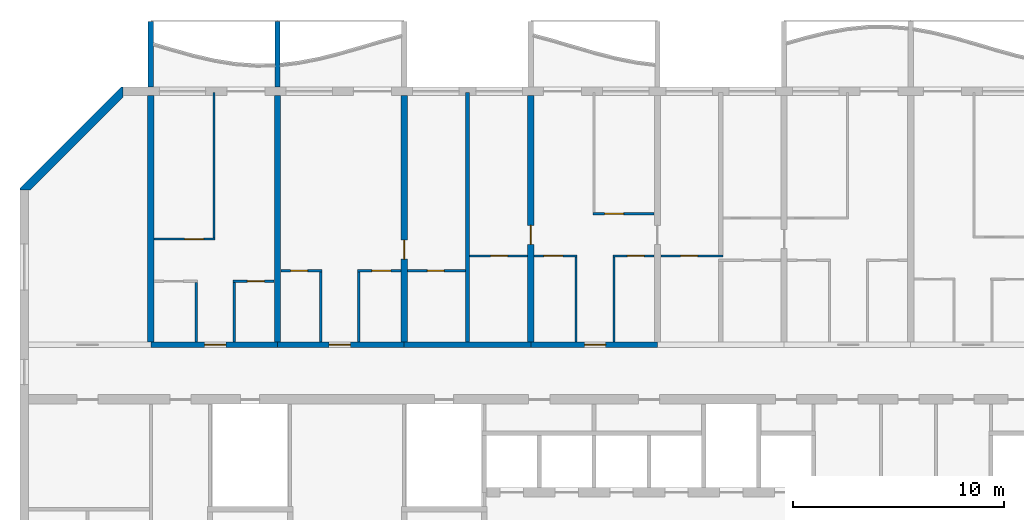
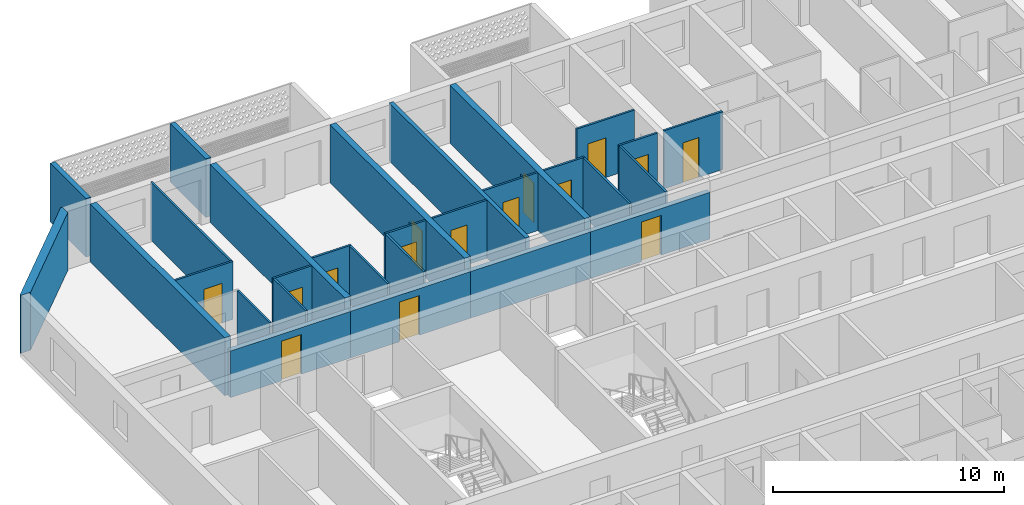
# One storey, part 8 of 31: 29 walls, 15 doors, 15 openings.
"""IFC4 building model written with IfcOpenShell, lengths in metres."""

from ifc_helpers import new_model, si_unit, direction, frame, frame_2d, origin, place, context, subcontext, project, spatial, polyline, rectangle, outline, extrude, source, transform, mapped, material, layer, layer_set, type_object, element, fill, save


model = new_model("IFC4")

# Units and contexts
model_context = context("Model", 3, precision=1e-05, world=origin(), true_north=direction((0.0, 1.0)))
body_context = subcontext(model_context, "Body", "Model", "MODEL_VIEW")
ifc_project = project(units=[si_unit("LENGTHUNIT", "METRE"), si_unit("AREAUNIT", "SQUARE_METRE"), si_unit("VOLUMEUNIT", "CUBIC_METRE"), si_unit("PLANEANGLEUNIT", "RADIAN"), si_unit("MASSUNIT", "GRAM", prefix="KILO")], contexts=[model_context])

# Site, building, storey
site_placement = place(None, origin())
site = spatial("IfcSite", under=ifc_project, at=site_placement, CompositionType="ELEMENT")
building_placement = place(site_placement, origin())
building = spatial("IfcBuilding", under=site, at=building_placement, Name="Poui Terraces", CompositionType="ELEMENT")
storey_placement = place(building_placement, frame((0.0, 0.0, 148.800048828125)))
storey = spatial("IfcBuildingStorey", under=building, at=storey_placement, Name="L41", CompositionType="ELEMENT", Elevation=148.800048828125)

# Wall, opening, door
ifc_material_1 = material(Name="Concrete 65 MPa", Category="concrete")
ifc_layer_1 = layer(ifc_material_1, 0.25)
ifc_layer_set_1 = layer_set([ifc_layer_1], Name="Concrete 65 MPa")
wall_type_1 = type_object("IfcWallType", Name="CORRIDOR WALL 250 65MPa", PredefinedType="SHEAR", material=ifc_layer_set_1)
wall_1_placement = place(storey_placement, frame((18.0, 30.39990234375, 0.0), z_axis=(0.0, 0.0, 1.0), x_axis=(1.0, 0.0, 0.0)))
wall_1 = element("IfcWall", 1, at=wall_1_placement, inside=storey, type_object=wall_type_1, Name="CORRIDOR WALL LINE E BAY 2", PredefinedType="SHEAR", context=body_context, shape_type="SweptSolid", body=[
    extrude(rectangle(XDim=6.0, YDim=0.25, at=frame_2d((3.0, 0.0))), origin(), (0.0, 0.0, 1.0), 2.469970703125),
])
opening_1_placement = place(wall_1_placement, frame((2.550048828125, 0.0, 0.0)))
opening_1 = element("IfcOpeningElement", 2, at=opening_1_placement, cuts=wall_1, Name="Opening FD30S", PredefinedType="OPENING", context=body_context, shape_type="SweptSolid", body=[
    extrude(rectangle(XDim=1.0, YDim=2.10009765625, at=frame_2d((0.5, 1.050048828125))), frame((0.0, 0.135009765625, 0.0), z_axis=(0.0, -1.0, 0.0), x_axis=(1.0, 0.0, 0.0)), (0.0, 0.0, 1.0), 0.27001953125),
])
ifc_material_2 = material(Name="Steel fire door", Category="steel")
door_type_1 = type_object("IfcDoorType", Name="FLAT ENTRANCE DOOR 1000 X 2100", OperationType="NOTDEFINED", PredefinedType="DOOR", material=ifc_material_2)
door_1_placement = place(opening_1_placement, origin())
door_1 = element("IfcDoor", 3, at=door_1_placement, inside=storey, type_object=door_type_1, Name="FLAT ENTRANCE DOOR 035", OperationType="SINGLE_SWING_RIGHT", OverallHeight=2.10009765625, OverallWidth=1.0, PredefinedType="DOOR", context=body_context, shape_type="SweptSolid", body=[
    extrude(rectangle(XDim=1.0, YDim=2.10009765625, at=frame_2d((0.5, 1.050048828125))), frame((0.0, 0.02490234375, 0.0), z_axis=(0.0, -1.0, 0.0), x_axis=(1.0, 0.0, 0.0)), (0.0, 0.0, 1.0), 0.050048828125),
])
fill(opening_1, door_1)

wall_2_placement = place(storey_placement, frame((24.0, 30.39990234375, 0.0), z_axis=(0.0, 0.0, 1.0), x_axis=(1.0, 0.0, 0.0)))
wall_2 = element("IfcWall", 4, at=wall_2_placement, inside=storey, type_object=wall_type_1, Name="CORRIDOR WALL LINE E BAY 3", PredefinedType="SHEAR", context=body_context, shape_type="SweptSolid", body=[
    extrude(rectangle(XDim=6.0, YDim=0.25, at=frame_2d((3.0, 0.0))), origin(), (0.0, 0.0, 1.0), 2.469970703125),
])
opening_2_placement = place(wall_2_placement, frame((2.449951171875, 0.0, 0.0)))
opening_2 = element("IfcOpeningElement", 5, at=opening_2_placement, cuts=wall_2, Name="Opening FD30S", PredefinedType="OPENING", context=body_context, shape_type="SweptSolid", body=[
    extrude(rectangle(XDim=1.0, YDim=2.10009765625, at=frame_2d((0.5, 1.050048828125))), frame((0.0, 0.135009765625, 0.0), z_axis=(0.0, -1.0, 0.0), x_axis=(1.0, 0.0, 0.0)), (0.0, 0.0, 1.0), 0.27001953125),
])
door_2_placement = place(opening_2_placement, origin())
door_2 = element("IfcDoor", 6, at=door_2_placement, inside=storey, type_object=door_type_1, Name="FLAT ENTRANCE DOOR 039", OperationType="SINGLE_SWING_LEFT", OverallHeight=2.10009765625, OverallWidth=1.0, PredefinedType="DOOR", context=body_context, shape_type="SweptSolid", body=[
    extrude(rectangle(XDim=1.0, YDim=2.10009765625, at=frame_2d((0.5, 1.050048828125))), frame((0.0, 0.02490234375, 0.0), z_axis=(0.0, -1.0, 0.0), x_axis=(1.0, 0.0, 0.0)), (0.0, 0.0, 1.0), 0.050048828125),
])
fill(opening_2, door_2)

# Wall
wall_3_placement = place(storey_placement, frame((30.0, 30.39990234375, 0.0), z_axis=(0.0, 0.0, 1.0), x_axis=(1.0, 0.0, 0.0)))
element("IfcWall", 7, at=wall_3_placement, inside=storey, type_object=wall_type_1, Name="CORRIDOR WALL LINE E BAY 4", PredefinedType="SHEAR", context=body_context, shape_type="SweptSolid", body=[
    extrude(rectangle(XDim=6.0, YDim=0.25, at=frame_2d((3.0, 0.0))), origin(), (0.0, 0.0, 1.0), 2.469970703125),
])

# Wall, opening, door
wall_4_placement = place(storey_placement, frame((36.0, 30.39990234375, 0.0), z_axis=(0.0, 0.0, 1.0), x_axis=(1.0, 0.0, 0.0)))
wall_4 = element("IfcWall", 8, at=wall_4_placement, inside=storey, type_object=wall_type_1, Name="CORRIDOR WALL LINE E BAY 5", PredefinedType="SHEAR", context=body_context, shape_type="SweptSolid", body=[
    extrude(rectangle(XDim=6.0, YDim=0.25, at=frame_2d((3.0, 0.0))), origin(), (0.0, 0.0, 1.0), 2.469970703125),
])
opening_3_placement = place(wall_4_placement, frame((2.550048828125, 0.0, 0.0)))
opening_3 = element("IfcOpeningElement", 9, at=opening_3_placement, cuts=wall_4, Name="Opening FD30S", PredefinedType="OPENING", context=body_context, shape_type="SweptSolid", body=[
    extrude(rectangle(XDim=1.0, YDim=2.10009765625, at=frame_2d((0.5, 1.050048828125))), frame((0.0, 0.135009765625, 0.0), z_axis=(0.0, -1.0, 0.0), x_axis=(1.0, 0.0, 0.0)), (0.0, 0.0, 1.0), 0.27001953125),
])
door_3_placement = place(opening_3_placement, origin())
door_3 = element("IfcDoor", 10, at=door_3_placement, inside=storey, type_object=door_type_1, Name="FLAT ENTRANCE DOOR 046", OperationType="SINGLE_SWING_RIGHT", OverallHeight=2.10009765625, OverallWidth=1.0, PredefinedType="DOOR", context=body_context, shape_type="SweptSolid", body=[
    extrude(rectangle(XDim=1.0, YDim=2.10009765625, at=frame_2d((0.5, 1.050048828125))), frame((0.0, 0.02490234375, 0.0), z_axis=(0.0, -1.0, 0.0), x_axis=(1.0, 0.0, 0.0)), (0.0, 0.0, 1.0), 0.050048828125),
])
fill(opening_3, door_3)

# Walls
ifc_layer_2 = layer(ifc_material_1, 0.300048828125)
ifc_layer_set_2 = layer_set([ifc_layer_2], Name="Concrete 65 MPa")
wall_type_2 = type_object("IfcWallType", Name="CROSS WALL 300 65MPa", PredefinedType="SHEAR", material=ifc_layer_set_2)
for number, where, z_axis, x_axis, name in (
    (11, (18.0, 30.52490234375, 0.0), (0.0, 0.0, 1.0), (0.0, 1.0, 0.0), "CROSS WALL LINE 4 NORTH"),
    (12, (24.0, 30.52490234375, 0.0), (0.0, 0.0, 1.0), (0.0, 1.0, 0.0), "CROSS WALL LINE 5 NORTH"),
):
    element("IfcWall", number, at=place(storey_placement, frame(where, z_axis=z_axis, x_axis=x_axis)), inside=storey, type_object=wall_type_2, Name=name, PredefinedType="SHEAR", context=body_context, shape_type="SweptSolid", body=[
        extrude(rectangle(XDim=11.675048828125, YDim=0.300048828125, at=frame_2d((5.83740234375, 0.0))), origin(), (0.0, 0.0, 1.0), 3.070068359375),
    ])

# Wall, opening, door
wall_5_placement = place(storey_placement, frame((30.0, 30.52490234375, 0.0), z_axis=(0.0, 0.0, 1.0), x_axis=(0.0, 1.0, 0.0)))
wall_5 = element("IfcWall", 13, at=wall_5_placement, inside=storey, type_object=wall_type_2, Name="CROSS WALL LINE 6 NORTH", PredefinedType="SHEAR", context=body_context, shape_type="SweptSolid", body=[
    extrude(rectangle(XDim=11.675048828125, YDim=0.300048828125, at=frame_2d((5.83740234375, 0.0))), origin(), (0.0, 0.0, 1.0), 3.070068359375),
])
opening_4_placement = place(wall_5_placement, frame((3.925048828125, 0.0, 0.0)))
opening_4 = element("IfcOpeningElement", 14, at=opening_4_placement, cuts=wall_5, Name="Opening D90", PredefinedType="OPENING", context=body_context, shape_type="SweptSolid", body=[
    extrude(rectangle(XDim=0.89990234375, YDim=2.10009765625, at=frame_2d((0.449951171875, 1.050048828125))), frame((0.0, 0.16015625, 0.0), z_axis=(0.0, -1.0, 0.0), x_axis=(1.0, 0.0, 0.0)), (0.0, 0.0, 1.0), 0.320068359375),
])
ifc_material_3 = material(Name="Solid core timber door", Category="wood")
door_type_2 = type_object("IfcDoorType", Name="INTERNAL DOOR 900 X 2100", OperationType="NOTDEFINED", PredefinedType="DOOR", material=ifc_material_3)
door_4_placement = place(opening_4_placement, frame((0.89990234375, 0.0, 0.0), z_axis=(0.0, 0.0, 1.0), x_axis=(-1.0, 0.0, 0.0)))
door_4 = element("IfcDoor", 15, at=door_4_placement, inside=storey, type_object=door_type_2, Name="INTERNAL DOOR 041", OperationType="SINGLE_SWING_RIGHT", OverallHeight=2.10009765625, OverallWidth=0.89990234375, PredefinedType="DOOR", context=body_context, shape_type="SweptSolid", body=[
    extrude(rectangle(XDim=0.89990234375, YDim=2.10009765625, at=frame_2d((0.449951171875, 1.050048828125))), frame((0.0, 0.02490234375, 0.0), z_axis=(0.0, -1.0, 0.0), x_axis=(1.0, 0.0, 0.0)), (0.0, 0.0, 1.0), 0.050048828125),
])
fill(opening_4, door_4)

wall_6_placement = place(storey_placement, frame((36.0, 30.52490234375, 0.0), z_axis=(0.0, 0.0, 1.0), x_axis=(0.0, 1.0, 0.0)))
wall_6 = element("IfcWall", 16, at=wall_6_placement, inside=storey, type_object=wall_type_2, Name="CROSS WALL LINE 7 NORTH", PredefinedType="SHEAR", context=body_context, shape_type="SweptSolid", body=[
    extrude(rectangle(XDim=11.675048828125, YDim=0.300048828125, at=frame_2d((5.83740234375, 0.0))), origin(), (0.0, 0.0, 1.0), 3.070068359375),
])
opening_5_placement = place(wall_6_placement, frame((4.625, 0.0, 0.0)))
opening_5 = element("IfcOpeningElement", 17, at=opening_5_placement, cuts=wall_6, Name="Opening D90", PredefinedType="OPENING", context=body_context, shape_type="SweptSolid", body=[
    extrude(rectangle(XDim=0.89990234375, YDim=2.10009765625, at=frame_2d((0.449951171875, 1.050048828125))), frame((0.0, 0.16015625, 0.0), z_axis=(0.0, -1.0, 0.0), x_axis=(1.0, 0.0, 0.0)), (0.0, 0.0, 1.0), 0.320068359375),
])
door_5_placement = place(opening_5_placement, origin())
door_5 = element("IfcDoor", 18, at=door_5_placement, inside=storey, type_object=door_type_2, Name="INTERNAL DOOR 044", OperationType="SINGLE_SWING_LEFT", OverallHeight=2.10009765625, OverallWidth=0.89990234375, PredefinedType="DOOR", context=body_context, shape_type="SweptSolid", body=[
    extrude(rectangle(XDim=0.89990234375, YDim=2.10009765625, at=frame_2d((0.449951171875, 1.050048828125))), frame((0.0, 0.02490234375, 0.0), z_axis=(0.0, -1.0, 0.0), x_axis=(1.0, 0.0, 0.0)), (0.0, 0.0, 1.0), 0.050048828125),
])
fill(opening_5, door_5)

ifc_material_4 = material(Name="Plasterboard partition")
ifc_layer_3 = layer(ifc_material_4, 0.10009765625)
ifc_layer_set_3 = layer_set([ifc_layer_3], Name="Plasterboard partition")
wall_type_3 = type_object("IfcWallType", Name="FLAT PARTITION 100", PredefinedType="PARTITIONING", material=ifc_layer_set_3)
wall_7_placement = place(storey_placement, frame((21.89990234375, 33.39990234375, 0.0), z_axis=(0.0, 0.0, 1.0), x_axis=(1.0, 0.0, 0.0)))
wall_7 = element("IfcWall", 19, at=wall_7_placement, inside=storey, type_object=wall_type_3, Name="FLAT PARTITION 100", PredefinedType="PARTITIONING", context=body_context, shape_type="SweptSolid", body=[
    extrude(rectangle(XDim=1.940185546875, YDim=0.10009765625, at=frame_2d((0.97021484375, 0.0))), origin(), (0.0, 0.0, 1.0), 3.070068359375),
])
opening_6_placement = place(wall_7_placement, frame((0.675048828125, 0.0, 0.0)))
opening_6 = element("IfcOpeningElement", 20, at=opening_6_placement, cuts=wall_7, Name="Opening D80", PredefinedType="OPENING", context=body_context, shape_type="SweptSolid", body=[
    extrude(rectangle(XDim=0.800048828125, YDim=2.10009765625, at=frame_2d((0.39990234375, 1.050048828125))), frame((0.0, 0.06005859375, 0.0), z_axis=(0.0, -1.0, 0.0), x_axis=(1.0, 0.0, 0.0)), (0.0, 0.0, 1.0), 0.1201171875),
])
door_type_3 = type_object("IfcDoorType", Name="BATHROOM, LAUNDRY AND STORE DOOR 800 X 2100", OperationType="NOTDEFINED", PredefinedType="DOOR", material=ifc_material_3)
door_6_placement = place(opening_6_placement, frame((0.800048828125, 0.0, 0.0), z_axis=(0.0, 0.0, 1.0), x_axis=(-1.0, 0.0, 0.0)))
door_6 = element("IfcDoor", 21, at=door_6_placement, inside=storey, type_object=door_type_3, Name="BATHROOM, LAUNDRY AND STORE DOOR 036", OperationType="SINGLE_SWING_RIGHT", OverallHeight=2.10009765625, OverallWidth=0.800048828125, PredefinedType="DOOR", context=body_context, shape_type="SweptSolid", body=[
    extrude(rectangle(XDim=0.800048828125, YDim=2.10009765625, at=frame_2d((0.39990234375, 1.050048828125))), frame((0.0, 0.02490234375, 0.0), z_axis=(0.0, -1.0, 0.0), x_axis=(1.0, 0.0, 0.0)), (0.0, 0.0, 1.0), 0.050048828125),
])
fill(opening_6, door_6)

wall_8_placement = place(storey_placement, frame((24.159912109375, 33.89990234375, 0.0), z_axis=(0.0, 0.0, 1.0), x_axis=(1.0, 0.0, 0.0)))
wall_8 = element("IfcWall", 22, at=wall_8_placement, inside=storey, type_object=wall_type_3, Name="FLAT PARTITION 100", PredefinedType="PARTITIONING", context=body_context, shape_type="SweptSolid", body=[
    extrude(rectangle(XDim=1.940185546875, YDim=0.10009765625, at=frame_2d((0.97021484375, 0.0))), origin(), (0.0, 0.0, 1.0), 3.070068359375),
])
opening_7_placement = place(wall_8_placement, frame((0.465087890625, 0.0, 0.0)))
opening_7 = element("IfcOpeningElement", 23, at=opening_7_placement, cuts=wall_8, Name="Opening D80", PredefinedType="OPENING", context=body_context, shape_type="SweptSolid", body=[
    extrude(rectangle(XDim=0.800048828125, YDim=2.10009765625, at=frame_2d((0.39990234375, 1.050048828125))), frame((0.0, 0.06005859375, 0.0), z_axis=(0.0, -1.0, 0.0), x_axis=(1.0, 0.0, 0.0)), (0.0, 0.0, 1.0), 0.1201171875),
])
door_7_placement = place(opening_7_placement, frame((0.800048828125, 0.0, 0.0), z_axis=(0.0, 0.0, 1.0), x_axis=(-1.0, 0.0, 0.0)))
door_7 = element("IfcDoor", 24, at=door_7_placement, inside=storey, type_object=door_type_3, Name="BATHROOM, LAUNDRY AND STORE DOOR 038", OperationType="SINGLE_SWING_LEFT", OverallHeight=2.10009765625, OverallWidth=0.800048828125, PredefinedType="DOOR", context=body_context, shape_type="SweptSolid", body=[
    extrude(rectangle(XDim=0.800048828125, YDim=2.10009765625, at=frame_2d((0.39990234375, 1.050048828125))), frame((0.0, 0.02490234375, 0.0), z_axis=(0.0, -1.0, 0.0), x_axis=(1.0, 0.0, 0.0)), (0.0, 0.0, 1.0), 0.050048828125),
])
fill(opening_7, door_7)

wall_9_placement = place(storey_placement, frame((27.800048828125, 33.89990234375, 0.0), z_axis=(0.0, 0.0, 1.0), x_axis=(1.0, 0.0, 0.0)))
wall_9 = element("IfcWall", 25, at=wall_9_placement, inside=storey, type_object=wall_type_3, Name="FLAT PARTITION 100", PredefinedType="PARTITIONING", context=body_context, shape_type="SweptSolid", body=[
    extrude(rectangle(XDim=2.0400390625, YDim=0.10009765625, at=frame_2d((1.02001953125, 0.0))), origin(), (0.0, 0.0, 1.0), 3.070068359375),
])
opening_8_placement = place(wall_9_placement, frame((0.675048828125, 0.0, 0.0)))
opening_8 = element("IfcOpeningElement", 26, at=opening_8_placement, cuts=wall_9, Name="Opening D90", PredefinedType="OPENING", context=body_context, shape_type="SweptSolid", body=[
    extrude(rectangle(XDim=0.89990234375, YDim=2.10009765625, at=frame_2d((0.449951171875, 1.050048828125))), frame((0.0, 0.06005859375, 0.0), z_axis=(0.0, -1.0, 0.0), x_axis=(1.0, 0.0, 0.0)), (0.0, 0.0, 1.0), 0.1201171875),
])
door_8_placement = place(opening_8_placement, frame((0.89990234375, 0.0, 0.0), z_axis=(0.0, 0.0, 1.0), x_axis=(-1.0, 0.0, 0.0)))
door_8 = element("IfcDoor", 27, at=door_8_placement, inside=storey, type_object=door_type_2, Name="INTERNAL DOOR 040", OperationType="SINGLE_SWING_RIGHT", OverallHeight=2.10009765625, OverallWidth=0.89990234375, PredefinedType="DOOR", context=body_context, shape_type="SweptSolid", body=[
    extrude(rectangle(XDim=0.89990234375, YDim=2.10009765625, at=frame_2d((0.449951171875, 1.050048828125))), frame((0.0, 0.02490234375, 0.0), z_axis=(0.0, -1.0, 0.0), x_axis=(1.0, 0.0, 0.0)), (0.0, 0.0, 1.0), 0.050048828125),
])
fill(opening_8, door_8)

wall_10_placement = place(storey_placement, frame((30.159912109375, 33.89990234375, 0.0), z_axis=(0.0, 0.0, 1.0), x_axis=(1.0, 0.0, 0.0)))
wall_10 = element("IfcWall", 28, at=wall_10_placement, inside=storey, type_object=wall_type_3, Name="FLAT PARTITION 100", PredefinedType="PARTITIONING", context=body_context, shape_type="SweptSolid", body=[
    extrude(rectangle(XDim=2.739990234375, YDim=0.10009765625, at=frame_2d((1.3701171875, 0.0))), origin(), (0.0, 0.0, 1.0), 3.070068359375),
])
opening_9_placement = place(wall_10_placement, frame((0.93994140625, 0.0, 0.0)))
opening_9 = element("IfcOpeningElement", 29, at=opening_9_placement, cuts=wall_10, Name="Opening D80", PredefinedType="OPENING", context=body_context, shape_type="SweptSolid", body=[
    extrude(rectangle(XDim=0.800048828125, YDim=2.10009765625, at=frame_2d((0.39990234375, 1.050048828125))), frame((0.0, 0.06005859375, 0.0), z_axis=(0.0, -1.0, 0.0), x_axis=(1.0, 0.0, 0.0)), (0.0, 0.0, 1.0), 0.1201171875),
])
door_9_placement = place(opening_9_placement, frame((0.800048828125, 0.0, 0.0), z_axis=(0.0, 0.0, 1.0), x_axis=(-1.0, 0.0, 0.0)))
door_9 = element("IfcDoor", 30, at=door_9_placement, inside=storey, type_object=door_type_3, Name="BATHROOM, LAUNDRY AND STORE DOOR 037", OperationType="SINGLE_SWING_RIGHT", OverallHeight=2.10009765625, OverallWidth=0.800048828125, PredefinedType="DOOR", context=body_context, shape_type="SweptSolid", body=[
    extrude(rectangle(XDim=0.800048828125, YDim=2.10009765625, at=frame_2d((0.39990234375, 1.050048828125))), frame((0.0, 0.02490234375, 0.0), z_axis=(0.0, -1.0, 0.0), x_axis=(1.0, 0.0, 0.0)), (0.0, 0.0, 1.0), 0.050048828125),
])
fill(opening_9, door_9)

wall_11_placement = place(storey_placement, frame((33.10009765625, 34.60009765625, 0.0), z_axis=(0.0, 0.0, 1.0), x_axis=(1.0, 0.0, 0.0)))
wall_11 = element("IfcWall", 31, at=wall_11_placement, inside=storey, type_object=wall_type_3, Name="FLAT PARTITION 100", PredefinedType="PARTITIONING", context=body_context, shape_type="SweptSolid", body=[
    extrude(rectangle(XDim=2.739990234375, YDim=0.10009765625, at=frame_2d((1.3701171875, 0.0))), origin(), (0.0, 0.0, 1.0), 3.070068359375),
])
opening_10_placement = place(wall_11_placement, frame((1.0, 0.0, 0.0)))
opening_10 = element("IfcOpeningElement", 32, at=opening_10_placement, cuts=wall_11, Name="Opening D80", PredefinedType="OPENING", context=body_context, shape_type="SweptSolid", body=[
    extrude(rectangle(XDim=0.800048828125, YDim=2.10009765625, at=frame_2d((0.39990234375, 1.050048828125))), frame((0.0, 0.06005859375, 0.0), z_axis=(0.0, -1.0, 0.0), x_axis=(1.0, 0.0, 0.0)), (0.0, 0.0, 1.0), 0.1201171875),
])
door_10_placement = place(opening_10_placement, frame((0.800048828125, 0.0, 0.0), z_axis=(0.0, 0.0, 1.0), x_axis=(-1.0, 0.0, 0.0)))
door_10 = element("IfcDoor", 33, at=door_10_placement, inside=storey, type_object=door_type_3, Name="BATHROOM, LAUNDRY AND STORE DOOR 042", OperationType="SINGLE_SWING_LEFT", OverallHeight=2.10009765625, OverallWidth=0.800048828125, PredefinedType="DOOR", context=body_context, shape_type="SweptSolid", body=[
    extrude(rectangle(XDim=0.800048828125, YDim=2.10009765625, at=frame_2d((0.39990234375, 1.050048828125))), frame((0.0, 0.02490234375, 0.0), z_axis=(0.0, -1.0, 0.0), x_axis=(1.0, 0.0, 0.0)), (0.0, 0.0, 1.0), 0.050048828125),
])
fill(opening_10, door_10)

wall_12_placement = place(storey_placement, frame((36.159912109375, 34.60009765625, 0.0), z_axis=(0.0, 0.0, 1.0), x_axis=(1.0, 0.0, 0.0)))
wall_12 = element("IfcWall", 34, at=wall_12_placement, inside=storey, type_object=wall_type_3, Name="FLAT PARTITION 100", PredefinedType="PARTITIONING", context=body_context, shape_type="SweptSolid", body=[
    extrude(rectangle(XDim=2.0400390625, YDim=0.10009765625, at=frame_2d((1.02001953125, 0.0))), origin(), (0.0, 0.0, 1.0), 3.070068359375),
])
opening_11_placement = place(wall_12_placement, frame((0.465087890625, 0.0, 0.0)))
opening_11 = element("IfcOpeningElement", 35, at=opening_11_placement, cuts=wall_12, Name="Opening D90", PredefinedType="OPENING", context=body_context, shape_type="SweptSolid", body=[
    extrude(rectangle(XDim=0.89990234375, YDim=2.10009765625, at=frame_2d((0.449951171875, 1.050048828125))), frame((0.0, 0.06005859375, 0.0), z_axis=(0.0, -1.0, 0.0), x_axis=(1.0, 0.0, 0.0)), (0.0, 0.0, 1.0), 0.1201171875),
])
door_11_placement = place(opening_11_placement, frame((0.89990234375, 0.0, 0.0), z_axis=(0.0, 0.0, 1.0), x_axis=(-1.0, 0.0, 0.0)))
door_11 = element("IfcDoor", 36, at=door_11_placement, inside=storey, type_object=door_type_2, Name="INTERNAL DOOR 045", OperationType="SINGLE_SWING_LEFT", OverallHeight=2.10009765625, OverallWidth=0.89990234375, PredefinedType="DOOR", context=body_context, shape_type="SweptSolid", body=[
    extrude(rectangle(XDim=0.89990234375, YDim=2.10009765625, at=frame_2d((0.449951171875, 1.050048828125))), frame((0.0, 0.02490234375, 0.0), z_axis=(0.0, -1.0, 0.0), x_axis=(1.0, 0.0, 0.0)), (0.0, 0.0, 1.0), 0.050048828125),
])
fill(opening_11, door_11)

wall_13_placement = place(storey_placement, frame((39.89990234375, 34.60009765625, 0.0), z_axis=(0.0, 0.0, 1.0), x_axis=(1.0, 0.0, 0.0)))
wall_13 = element("IfcWall", 37, at=wall_13_placement, inside=storey, type_object=wall_type_3, Name="FLAT PARTITION 100", PredefinedType="PARTITIONING", context=body_context, shape_type="SweptSolid", body=[
    extrude(rectangle(XDim=1.940185546875, YDim=0.10009765625, at=frame_2d((0.97021484375, 0.0))), origin(), (0.0, 0.0, 1.0), 3.070068359375),
])
opening_12_placement = place(wall_13_placement, frame((0.675048828125, 0.0, 0.0)))
opening_12 = element("IfcOpeningElement", 38, at=opening_12_placement, cuts=wall_13, Name="Opening D80", PredefinedType="OPENING", context=body_context, shape_type="SweptSolid", body=[
    extrude(rectangle(XDim=0.800048828125, YDim=2.10009765625, at=frame_2d((0.39990234375, 1.050048828125))), frame((0.0, 0.06005859375, 0.0), z_axis=(0.0, -1.0, 0.0), x_axis=(1.0, 0.0, 0.0)), (0.0, 0.0, 1.0), 0.1201171875),
])
door_12_placement = place(opening_12_placement, frame((0.800048828125, 0.0, 0.0), z_axis=(0.0, 0.0, 1.0), x_axis=(-1.0, 0.0, 0.0)))
door_12 = element("IfcDoor", 39, at=door_12_placement, inside=storey, type_object=door_type_3, Name="BATHROOM, LAUNDRY AND STORE DOOR 048", OperationType="SINGLE_SWING_RIGHT", OverallHeight=2.10009765625, OverallWidth=0.800048828125, PredefinedType="DOOR", context=body_context, shape_type="SweptSolid", body=[
    extrude(rectangle(XDim=0.800048828125, YDim=2.10009765625, at=frame_2d((0.39990234375, 1.050048828125))), frame((0.0, 0.02490234375, 0.0), z_axis=(0.0, -1.0, 0.0), x_axis=(1.0, 0.0, 0.0)), (0.0, 0.0, 1.0), 0.050048828125),
])
fill(opening_12, door_12)

wall_14_placement = place(storey_placement, frame((42.159912109375, 34.60009765625, 0.0), z_axis=(0.0, 0.0, 1.0), x_axis=(1.0, 0.0, 0.0)))
wall_14 = element("IfcWall", 40, at=wall_14_placement, inside=storey, type_object=wall_type_3, Name="FLAT PARTITION 100", PredefinedType="PARTITIONING", context=body_context, shape_type="SweptSolid", body=[
    extrude(rectangle(XDim=2.940185546875, YDim=0.10009765625, at=frame_2d((1.47021484375, 0.0))), origin(), (0.0, 0.0, 1.0), 3.070068359375),
])
opening_13_placement = place(wall_14_placement, frame((0.93994140625, 0.0, 0.0)))
opening_13 = element("IfcOpeningElement", 41, at=opening_13_placement, cuts=wall_14, Name="Opening D80", PredefinedType="OPENING", context=body_context, shape_type="SweptSolid", body=[
    extrude(rectangle(XDim=0.800048828125, YDim=2.10009765625, at=frame_2d((0.39990234375, 1.050048828125))), frame((0.0, 0.06005859375, 0.0), z_axis=(0.0, -1.0, 0.0), x_axis=(1.0, 0.0, 0.0)), (0.0, 0.0, 1.0), 0.1201171875),
])
door_13_placement = place(opening_13_placement, frame((0.800048828125, 0.0, 0.0), z_axis=(0.0, 0.0, 1.0), x_axis=(-1.0, 0.0, 0.0)))
door_13 = element("IfcDoor", 42, at=door_13_placement, inside=storey, type_object=door_type_3, Name="BATHROOM, LAUNDRY AND STORE DOOR 043", OperationType="SINGLE_SWING_LEFT", OverallHeight=2.10009765625, OverallWidth=0.800048828125, PredefinedType="DOOR", context=body_context, shape_type="SweptSolid", body=[
    extrude(rectangle(XDim=0.800048828125, YDim=2.10009765625, at=frame_2d((0.39990234375, 1.050048828125))), frame((0.0, 0.02490234375, 0.0), z_axis=(0.0, -1.0, 0.0), x_axis=(1.0, 0.0, 0.0)), (0.0, 0.0, 1.0), 0.050048828125),
])
fill(opening_13, door_13)

wall_15_placement = place(storey_placement, frame((18.159912109375, 35.39990234375, 0.0), z_axis=(0.0, 0.0, 1.0), x_axis=(1.0, 0.0, 0.0)))
wall_15 = element("IfcWall", 43, at=wall_15_placement, inside=storey, type_object=wall_type_3, Name="FLAT PARTITION 100", PredefinedType="PARTITIONING", context=body_context, shape_type="SweptSolid", body=[
    extrude(rectangle(XDim=2.89013671875, YDim=0.10009765625, at=frame_2d((1.445068359375, 0.0))), origin(), (0.0, 0.0, 1.0), 3.070068359375),
])
opening_14_placement = place(wall_15_placement, frame((1.43994140625, 0.0, 0.0)))
opening_14 = element("IfcOpeningElement", 44, at=opening_14_placement, cuts=wall_15, Name="Opening D90", PredefinedType="OPENING", context=body_context, shape_type="SweptSolid", body=[
    extrude(rectangle(XDim=0.89990234375, YDim=2.10009765625, at=frame_2d((0.449951171875, 1.050048828125))), frame((0.0, 0.06005859375, 0.0), z_axis=(0.0, -1.0, 0.0), x_axis=(1.0, 0.0, 0.0)), (0.0, 0.0, 1.0), 0.1201171875),
])
door_14_placement = place(opening_14_placement, frame((0.89990234375, 0.0, 0.0), z_axis=(0.0, 0.0, 1.0), x_axis=(-1.0, 0.0, 0.0)))
door_14 = element("IfcDoor", 45, at=door_14_placement, inside=storey, type_object=door_type_2, Name="INTERNAL DOOR 034", OperationType="SINGLE_SWING_RIGHT", OverallHeight=2.10009765625, OverallWidth=0.89990234375, PredefinedType="DOOR", context=body_context, shape_type="SweptSolid", body=[
    extrude(rectangle(XDim=0.89990234375, YDim=2.10009765625, at=frame_2d((0.449951171875, 1.050048828125))), frame((0.0, 0.02490234375, 0.0), z_axis=(0.0, -1.0, 0.0), x_axis=(1.0, 0.0, 0.0)), (0.0, 0.0, 1.0), 0.050048828125),
])
fill(opening_14, door_14)

wall_16_placement = place(storey_placement, frame((38.949951171875, 36.60009765625, 0.0), z_axis=(0.0, 0.0, 1.0), x_axis=(1.0, 0.0, 0.0)))
wall_16 = element("IfcWall", 46, at=wall_16_placement, inside=storey, type_object=wall_type_3, Name="FLAT PARTITION 100", PredefinedType="PARTITIONING", context=body_context, shape_type="SweptSolid", body=[
    extrude(rectangle(XDim=2.89013671875, YDim=0.10009765625, at=frame_2d((1.445068359375, 0.0))), origin(), (0.0, 0.0, 1.0), 3.070068359375),
])
opening_15_placement = place(wall_16_placement, frame((0.550048828125, 0.0, 0.0)))
opening_15 = element("IfcOpeningElement", 47, at=opening_15_placement, cuts=wall_16, Name="Opening D90", PredefinedType="OPENING", context=body_context, shape_type="SweptSolid", body=[
    extrude(rectangle(XDim=0.89990234375, YDim=2.10009765625, at=frame_2d((0.449951171875, 1.050048828125))), frame((0.0, 0.06005859375, 0.0), z_axis=(0.0, -1.0, 0.0), x_axis=(1.0, 0.0, 0.0)), (0.0, 0.0, 1.0), 0.1201171875),
])
door_15_placement = place(opening_15_placement, frame((0.89990234375, 0.0, 0.0), z_axis=(0.0, 0.0, 1.0), x_axis=(-1.0, 0.0, 0.0)))
door_15 = element("IfcDoor", 48, at=door_15_placement, inside=storey, type_object=door_type_2, Name="INTERNAL DOOR 047", OperationType="SINGLE_SWING_LEFT", OverallHeight=2.10009765625, OverallWidth=0.89990234375, PredefinedType="DOOR", context=body_context, shape_type="SweptSolid", body=[
    extrude(rectangle(XDim=0.89990234375, YDim=2.10009765625, at=frame_2d((0.449951171875, 1.050048828125))), frame((0.0, 0.02490234375, 0.0), z_axis=(0.0, -1.0, 0.0), x_axis=(1.0, 0.0, 0.0)), (0.0, 0.0, 1.0), 0.050048828125),
])
fill(opening_15, door_15)

# Walls
wall_17_placement = place(storey_placement, frame((20.14990234375, 30.534912109375, 0.0), z_axis=(0.0, 0.0, 1.0), x_axis=(0.0, 1.0, 0.0)))
element("IfcWall", 49, at=wall_17_placement, inside=storey, type_object=wall_type_3, Name="FLAT PARTITION 100", PredefinedType="PARTITIONING", context=body_context, shape_type="SweptSolid", body=[
    extrude(rectangle(XDim=2.815185546875, YDim=0.10009765625, at=frame_2d((1.40771484375, 0.0))), origin(), (0.0, 0.0, 1.0), 3.070068359375),
])
wall_18_placement = place(storey_placement, frame((21.0, 35.449951171875, 0.0), z_axis=(0.0, 0.0, 1.0), x_axis=(0.0, 1.0, 0.0)))
element("IfcWall", 50, at=wall_18_placement, inside=storey, type_object=wall_type_3, Name="FLAT PARTITION 100", PredefinedType="PARTITIONING", context=body_context, shape_type="SweptSolid", body=[
    extrude(rectangle(XDim=6.89013671875, YDim=0.10009765625, at=frame_2d((3.445068359375, 0.0))), origin(), (0.0, 0.0, 1.0), 3.070068359375),
])
wall_19_placement = place(storey_placement, frame((21.949951171875, 30.534912109375, 0.0), z_axis=(0.0, 0.0, 1.0), x_axis=(0.0, 1.0, 0.0)))
element("IfcWall", 51, at=wall_19_placement, inside=storey, type_object=wall_type_3, Name="FLAT PARTITION 100", PredefinedType="PARTITIONING", context=body_context, shape_type="SweptSolid", body=[
    extrude(rectangle(XDim=2.815185546875, YDim=0.10009765625, at=frame_2d((1.40771484375, 0.0))), origin(), (0.0, 0.0, 1.0), 3.070068359375),
])
for number, where, z_axis, x_axis, name in (
    (52, (26.050048828125, 30.534912109375, 0.0), (0.0, 0.0, 1.0), (0.0, 1.0, 0.0), "FLAT PARTITION 100"),
    (53, (27.85009765625, 30.534912109375, 0.0), (0.0, 0.0, 1.0), (0.0, 1.0, 0.0), "FLAT PARTITION 100"),
):
    element("IfcWall", number, at=place(storey_placement, frame(where, z_axis=z_axis, x_axis=x_axis)), inside=storey, type_object=wall_type_3, Name=name, PredefinedType="PARTITIONING", context=body_context, shape_type="SweptSolid", body=[
        extrude(rectangle(XDim=3.315185546875, YDim=0.10009765625, at=frame_2d((1.65771484375, 0.0))), origin(), (0.0, 0.0, 1.0), 3.070068359375),
    ])
for number, where, z_axis, x_axis, name in (
    (54, (38.14990234375, 30.534912109375, 0.0), (0.0, 0.0, 1.0), (0.0, 1.0, 0.0), "FLAT PARTITION 100"),
    (55, (39.949951171875, 30.534912109375, 0.0), (0.0, 0.0, 1.0), (0.0, 1.0, 0.0), "FLAT PARTITION 100"),
):
    element("IfcWall", number, at=place(storey_placement, frame(where, z_axis=z_axis, x_axis=x_axis)), inside=storey, type_object=wall_type_3, Name=name, PredefinedType="PARTITIONING", context=body_context, shape_type="SweptSolid", body=[
        extrude(rectangle(XDim=4.01513671875, YDim=0.10009765625, at=frame_2d((2.007568359375, 0.0))), origin(), (0.0, 0.0, 1.0), 3.070068359375),
    ])
ifc_material_5 = material(Name="Fire-rated masonry wall", Category="masonry")
ifc_layer_4 = layer(ifc_material_5, 0.199951171875)
ifc_layer_set_4 = layer_set([ifc_layer_4], Name="Fire-rated masonry wall")
wall_type_4 = type_object("IfcWallType", Name="FLAT PARTY WALL 200", PredefinedType="PARTITIONING", material=ifc_layer_set_4)
wall_20_placement = place(storey_placement, frame((33.0, 30.534912109375, 0.0), z_axis=(0.0, 0.0, 1.0), x_axis=(0.0, 1.0, 0.0)))
element("IfcWall", 56, at=wall_20_placement, inside=storey, type_object=wall_type_4, Name="FLAT PARTY WALL 200", PredefinedType="PARTITIONING", context=body_context, shape_type="SweptSolid", body=[
    extrude(rectangle(XDim=11.80517578125, YDim=0.199951171875, at=frame_2d((5.902587890625, 0.0))), origin(), (0.0, 0.0, 1.0), 3.070068359375),
])
ifc_material_6 = material(Name="Precast concrete 40 MPa", Category="concrete")
ifc_layer_5 = layer(ifc_material_6, 0.39990234375)
ifc_layer_set_5 = layer_set([ifc_layer_5], Name="Precast concrete 40 MPa")
wall_type_5 = type_object("IfcWallType", Name="TERRACOTTA CLAD CHAMFER WALL 400", PredefinedType="STANDARD", material=ifc_layer_set_5)
wall_21_placement = place(storey_placement, origin())
element("IfcWall", 57, at=wall_21_placement, inside=storey, type_object=wall_type_5, Name="CHAMFER WALL CH05", PredefinedType="STANDARD", context=body_context, shape_type="SweptSolid", body=[
    extrude(outline(polyline([(16.682861328125, 42.60009765625), (16.60009765625, 42.60009765625), (11.800048828125, 37.800048828125), (11.800048828125, 37.71728515625), (12.28271484375, 37.71728515625), (16.682861328125, 42.1171875), (16.682861328125, 42.60009765625)])), origin(), (0.0, 0.0, 1.0), 3.070068359375),
])
ifc_layer_6 = layer(ifc_material_6, 0.25)
ifc_layer_set_6 = layer_set([ifc_layer_6], Name="Precast concrete 40 MPa")
wall_type_6 = type_object("IfcWallType", Name="BALCONY FIN 250", PredefinedType="STANDARD", material=ifc_layer_set_6)
shared_shape = source(origin(), body_context, "Body", "SweptSolid", [
    extrude(outline(polyline([(0.0, 0.0), (0.25, 0.0), (0.25, 3.099853515625), (0.0, 3.099853515625), (0.0, 0.0)])), origin(), (0.0, 0.0, 1.0), 3.099853515625),
])
for number, where, name in (
    (58, (17.875, 42.60009765625, 0.0), "BALCONY FIN"),
    (59, (23.875, 42.60009765625, 0.0), "BALCONY FIN"),
):
    element("IfcWall", number, at=place(storey_placement, frame(where)), inside=storey, type_object=wall_type_6, Name=name, PredefinedType="STANDARD", context=body_context, shape_type="MappedRepresentation", body=[
        mapped(shared_shape, transform((0.0, 0.0, 0.0))),
    ])

save(model, "model.ifc")
